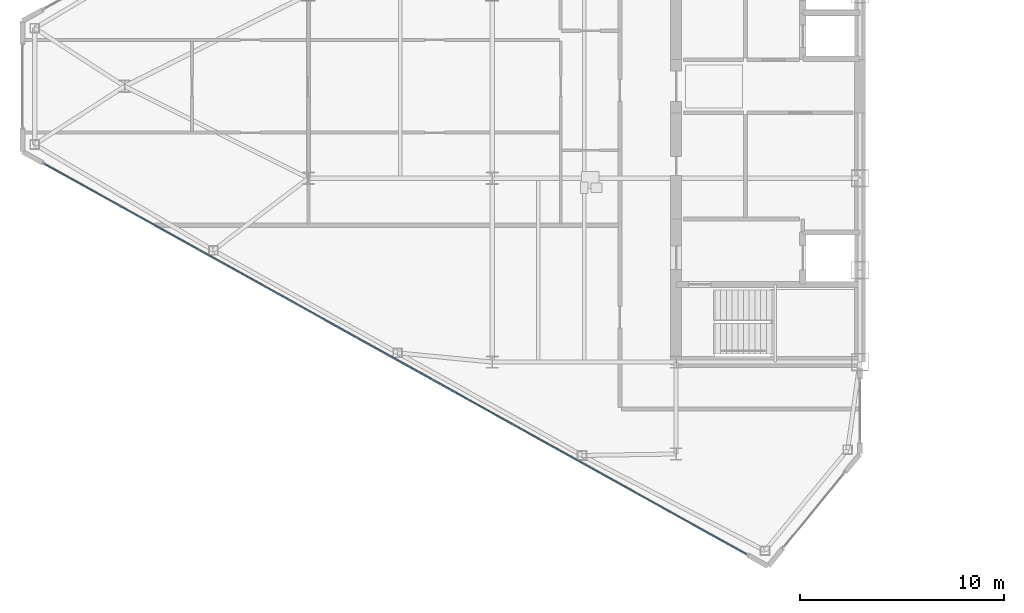
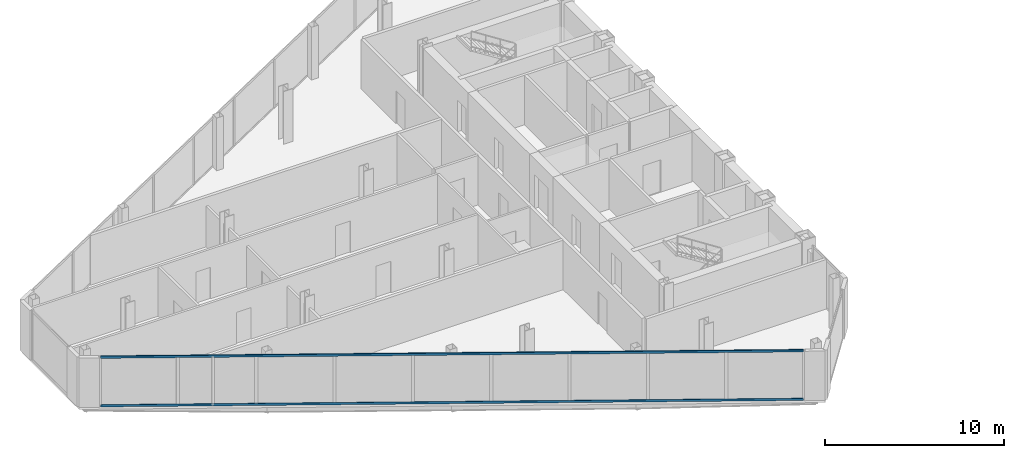
# One storey, part 4 of 25: 2 members, 1 element without a shape of its own.
"""IFC4 building model written with IfcOpenShell, lengths in metres."""

from ifc_helpers import new_model, si_unit, direction, frame, origin, origin_2d, place, context, subcontext, project, spatial, rectangle, extrude, source, transform, mapped, material, layer, layer_set, material_profile, profile_set, type_object, type_shapes, element, aggregate, save


model = new_model("IFC4")

# Units and contexts
model_context = context("Model", 3, precision=1e-05, world=origin(), true_north=direction((0.0, 1.0)))
body_context = subcontext(model_context, "Body", "Model", "MODEL_VIEW")
ifc_project = project(units=[si_unit("LENGTHUNIT", "METRE"), si_unit("AREAUNIT", "SQUARE_METRE"), si_unit("VOLUMEUNIT", "CUBIC_METRE"), si_unit("PLANEANGLEUNIT", "RADIAN"), si_unit("MASSUNIT", "GRAM", prefix="KILO")], contexts=[model_context])

# Site, building, storey
site_placement = place(None, origin())
site = spatial("IfcSite", under=ifc_project, at=site_placement, CompositionType="ELEMENT")
building_placement = place(site_placement, origin())
building = spatial("IfcBuilding", under=site, at=building_placement, Name="Seokmaru Belvedere", CompositionType="ELEMENT")
storey_placement = place(building_placement, frame((0.0, 0.0, 185.10009765625)))
storey = spatial("IfcBuildingStorey", under=building, at=storey_placement, Name="L49", CompositionType="ELEMENT", Elevation=185.10009765625)

# Curtain wall, members
ifc_material_1 = material(Name="Bronze Triple Insulating Glass", Category="glass")
ifc_layer = layer(ifc_material_1, 0.179931640625)
ifc_layer_set = layer_set([ifc_layer], Name="Bronze Triple Insulating Glass")
curtain_wall_type = type_object("IfcCurtainWallType", Name="High-Rise Wind-Corner Curtain Wall System CW-5", PredefinedType="NOTDEFINED", material=ifc_layer_set)
curtain_wall_placement = place(storey_placement, origin())
curtain_wall = element("IfcCurtainWall", 1, at=curtain_wall_placement, inside=storey, type_object=curtain_wall_type, Name="L49 Curtain Wall WF5", PredefinedType="NOTDEFINED")
ifc_material_2 = material(Name="Anodised Bronze Aluminium", Category="aluminium")
ifc_material_profile = material_profile(ifc_material_2, rectangle(XDim=0.06494140625, YDim=0.14990234375, at=origin_2d()), Name="CW-T-65x150")
ifc_profile_set = profile_set([ifc_material_profile], Name="Anodised Bronze Aluminium")
member_type = type_object("IfcMemberType", Name="Bronze Unitised Transom 65x150", PredefinedType="USERDEFINED", material=ifc_profile_set)
shared_shape = source(origin(), body_context, "Body", "SweptSolid", [
    extrude(rectangle(XDim=0.06494140625, YDim=0.14990234375, at=origin_2d()), origin(), (0.0, 0.0, 1.0), 39.33544921875),
])
type_shapes(member_type, [shared_shape])
member_1_placement = place(storey_placement, frame((-67.438232421875, -3.79052734375, 0.032470703125), z_axis=(0.873932045133, -0.486048125693, 0.0), x_axis=(0.486048125693, 0.873932045133, 0.0)))
member_1 = element("IfcMember", 2, at=member_1_placement, type_object=member_type, Name="CW:L49:WF5 Continuous Transom 1", ObjectType="TRANSOM", PredefinedType="USERDEFINED", context=body_context, shape_type="MappedRepresentation", body=[
    mapped(shared_shape, transform((0.0, 0.0, 0.0), scale=1.0)),
])
member_2_placement = place(storey_placement, frame((-67.438232421875, -3.79052734375, 3.347412109375), z_axis=(0.873932045133, -0.486048125693, 0.0), x_axis=(0.486048125693, 0.873932045133, 0.0)))
member_2 = element("IfcMember", 3, at=member_2_placement, type_object=member_type, Name="CW:L49:WF5 Continuous Transom 2", ObjectType="TRANSOM", PredefinedType="USERDEFINED", context=body_context, shape_type="MappedRepresentation", body=[
    mapped(shared_shape, transform((0.0, 0.0, 0.0), scale=1.0)),
])
aggregate(curtain_wall, [member_1, member_2])

save(model, "model.ifc")
